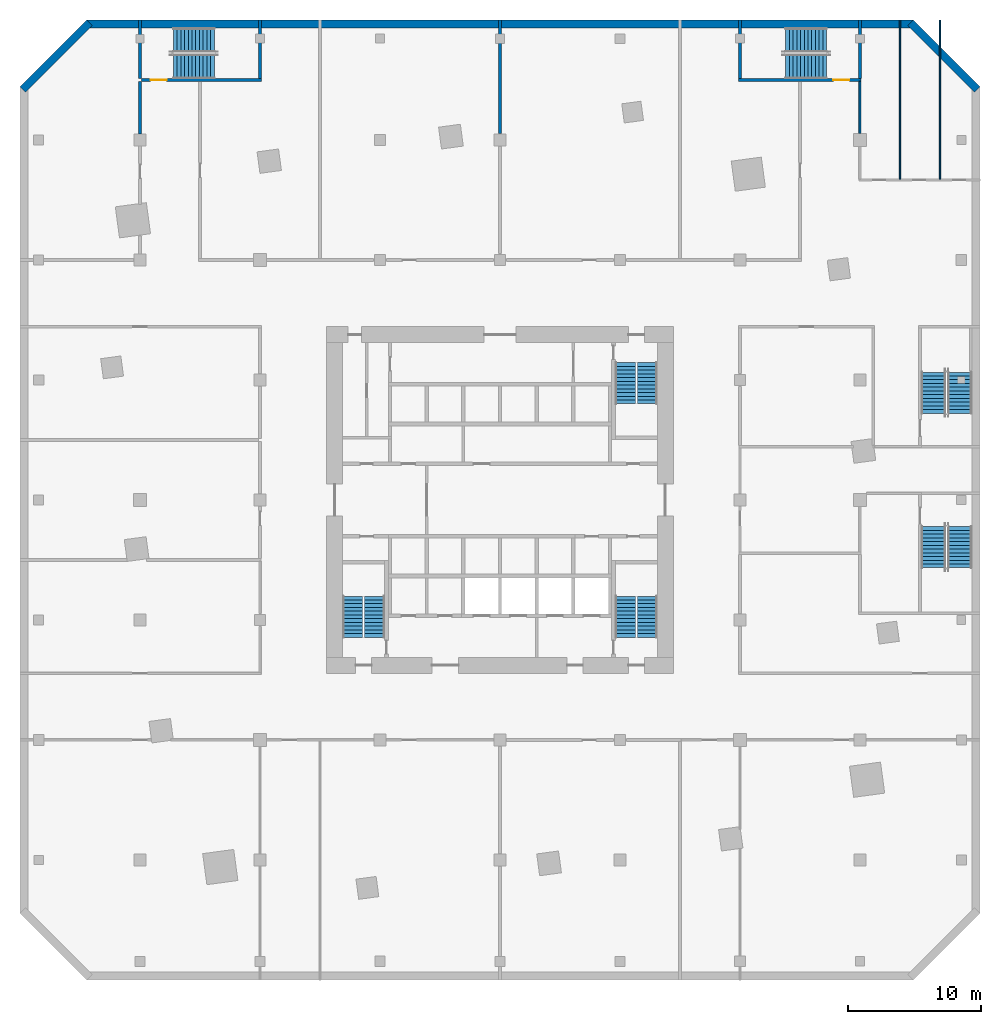
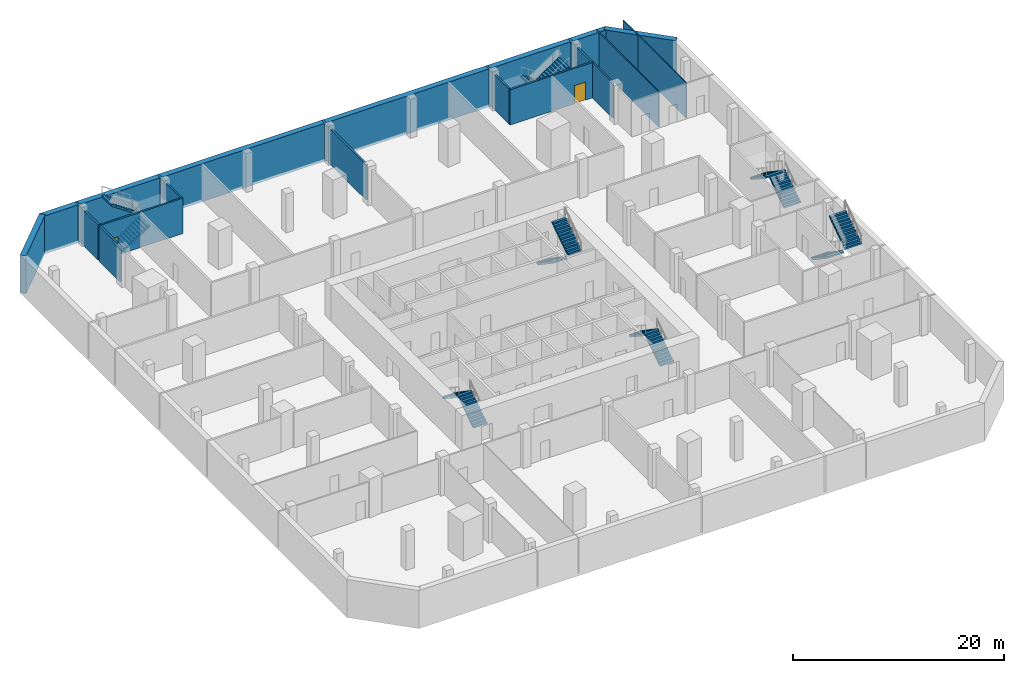
# One storey, part 7 of 11: 14 stair flights, 14 walls, 2 doors, 2 openings, 7 elements without a shape of their own.
"""IFC4 building model written with IfcOpenShell, lengths in metres."""

from ifc_helpers import new_model, si_unit, direction, frame, frame_2d, origin, place, context, subcontext, project, spatial, polyline, rectangle, outline, extrude, material, layer, layer_set, type_object, element, fill, aggregate, save


model = new_model("IFC4")

# Units and contexts
model_context = context("Model", 3, precision=1e-05, world=origin(), true_north=direction((0.0, 1.0)))
body_context = subcontext(model_context, "Body", "Model", "MODEL_VIEW")
ifc_project = project(units=[si_unit("LENGTHUNIT", "METRE"), si_unit("AREAUNIT", "SQUARE_METRE"), si_unit("VOLUMEUNIT", "CUBIC_METRE"), si_unit("PLANEANGLEUNIT", "RADIAN"), si_unit("MASSUNIT", "GRAM", prefix="KILO")], contexts=[model_context])

# Site, building, storey
site_placement = place(None, origin())
site = spatial("IfcSite", under=ifc_project, at=site_placement, CompositionType="ELEMENT")
building_placement = place(site_placement, origin())
building = spatial("IfcBuilding", under=site, at=building_placement, Name="Dilmun Exchange Tower", CompositionType="ELEMENT")
storey_placement = place(building_placement, frame((0.0, 0.0, -4.5)))
storey = spatial("IfcBuildingStorey", under=building, at=storey_placement, Name="B1", CompositionType="ELEMENT", Elevation=-4.5)

# Wall
ifc_material_1 = material(Name="Fire partition EI 60 150 gypsum")
ifc_layer_1 = layer(ifc_material_1, 0.14990234375)
ifc_layer_set_1 = layer_set([ifc_layer_1], Name="Fire partition EI 60 150 gypsum")
wall_type_1 = type_object("IfcWallType", Name="Fire partition EI 60 150 gypsum", PredefinedType="PARTITIONING", material=ifc_layer_set_1)
wall_1_placement = place(storey_placement, frame((27.0, 27.5, 0.0), z_axis=(0.0, 0.0, 1.0), x_axis=(0.0, 1.0, 0.0)))
element("IfcWall", 1, at=wall_1_placement, inside=storey, type_object=wall_type_1, Name="B1 partition", PredefinedType="PARTITIONING", context=body_context, shape_type="SweptSolid", body=[
    extrude(rectangle(XDim=3.89990234375, YDim=0.14990234375, at=frame_2d((1.949951171875, 0.0))), origin(), (0.0, 0.0, 1.0), 4.10009765625),
])

# Wall, opening, door
ifc_material_2 = material(Name="Fire wall EI 120 200 blockwork", Category="masonry")
ifc_layer_2 = layer(ifc_material_2, 0.199951171875)
ifc_layer_set_2 = layer_set([ifc_layer_2], Name="Fire wall EI 120 200 blockwork")
wall_type_2 = type_object("IfcWallType", Name="Fire wall EI 120 200 blockwork", PredefinedType="PARTITIONING", material=ifc_layer_set_2)
wall_2_placement = place(storey_placement, frame((-26.89990234375, 31.5, 0.0), z_axis=(0.0, 0.0, 1.0), x_axis=(1.0, 0.0, 0.0)))
wall_2 = element("IfcWall", 2, at=wall_2_placement, inside=storey, type_object=wall_type_2, Name="B1 stair wall", PredefinedType="PARTITIONING", context=body_context, shape_type="SweptSolid", body=[
    extrude(rectangle(XDim=9.0, YDim=0.199951171875, at=frame_2d((4.5, 0.0))), origin(), (0.0, 0.0, 1.0), 4.10009765625),
])
opening_1_placement = place(wall_2_placement, frame((0.699951171875, 0.0, 0.0)))
opening_1 = element("IfcOpeningElement", 3, at=opening_1_placement, cuts=wall_2, Name="Opening B1-D001", PredefinedType="OPENING", context=body_context, shape_type="SweptSolid", body=[
    extrude(rectangle(XDim=1.199951171875, YDim=2.10009765625, at=frame_2d((0.60009765625, 1.050048828125))), frame((0.0, 0.10986328125, 0.0), z_axis=(0.0, -1.0, 0.0), x_axis=(1.0, 0.0, 0.0)), (0.0, 0.0, 1.0), 0.219970703125),
])
ifc_material_3 = material(Name="Stair door FD90 1200 x 2100")
door_type = type_object("IfcDoorType", Name="Stair door FD90 1200 x 2100", OperationType="SINGLE_SWING_LEFT", PredefinedType="DOOR", material=ifc_material_3)
door_1_placement = place(opening_1_placement, origin())
door_1 = element("IfcDoor", 4, at=door_1_placement, inside=storey, type_object=door_type, Name="B1 door B1-D001", OperationType="SINGLE_SWING_LEFT", OverallHeight=2.10009765625, OverallWidth=1.199951171875, PredefinedType="DOOR", context=body_context, shape_type="SweptSolid", body=[
    extrude(rectangle(XDim=1.199951171875, YDim=2.10009765625, at=frame_2d((0.60009765625, 1.050048828125))), frame((0.0, 0.02490234375, 0.0), z_axis=(0.0, -1.0, 0.0), x_axis=(1.0, 0.0, 0.0)), (0.0, 0.0, 1.0), 0.050048828125),
])
fill(opening_1, door_1)

wall_3_placement = place(storey_placement, frame((17.89990234375, 31.5, 0.0), z_axis=(0.0, 0.0, 1.0), x_axis=(1.0, 0.0, 0.0)))
wall_3 = element("IfcWall", 5, at=wall_3_placement, inside=storey, type_object=wall_type_2, Name="B1 stair wall", PredefinedType="PARTITIONING", context=body_context, shape_type="SweptSolid", body=[
    extrude(rectangle(XDim=9.175048828125, YDim=0.199951171875, at=frame_2d((4.58740234375, 0.0))), origin(), (0.0, 0.0, 1.0), 4.10009765625),
])
opening_2_placement = place(wall_3_placement, frame((7.10009765625, 0.0, 0.0)))
opening_2 = element("IfcOpeningElement", 6, at=opening_2_placement, cuts=wall_3, Name="Opening B1-D002", PredefinedType="OPENING", context=body_context, shape_type="SweptSolid", body=[
    extrude(rectangle(XDim=1.199951171875, YDim=2.10009765625, at=frame_2d((0.60009765625, 1.050048828125))), frame((0.0, 0.10986328125, 0.0), z_axis=(0.0, -1.0, 0.0), x_axis=(1.0, 0.0, 0.0)), (0.0, 0.0, 1.0), 0.219970703125),
])
door_2_placement = place(opening_2_placement, origin())
door_2 = element("IfcDoor", 7, at=door_2_placement, inside=storey, type_object=door_type, Name="B1 door B1-D002", OperationType="SINGLE_SWING_RIGHT", OverallHeight=2.10009765625, OverallWidth=1.199951171875, PredefinedType="DOOR", context=body_context, shape_type="SweptSolid", body=[
    extrude(rectangle(XDim=1.199951171875, YDim=2.10009765625, at=frame_2d((0.60009765625, 1.050048828125))), frame((0.0, 0.02490234375, 0.0), z_axis=(0.0, -1.0, 0.0), x_axis=(1.0, 0.0, 0.0)), (0.0, 0.0, 1.0), 0.050048828125),
])
fill(opening_2, door_2)

# Walls
wall_4_placement = place(storey_placement, frame((-27.0, 27.46240234375, 0.0), z_axis=(0.0, 0.0, 1.0), x_axis=(0.0, 1.0, 0.0)))
element("IfcWall", 8, at=wall_4_placement, inside=storey, type_object=wall_type_2, Name="B1 stair wall", PredefinedType="PARTITIONING", context=body_context, shape_type="SweptSolid", body=[
    extrude(rectangle(XDim=3.9375, YDim=0.199951171875, at=frame_2d((1.96875, 0.0))), origin(), (0.0, 0.0, 1.0), 4.10009765625),
])
for number, where, z_axis, x_axis, name in (
    (9, (-27.0, 31.60009765625, 0.0), (0.0, 0.0, 1.0), (0.0, 1.0, 0.0), "B1 stair wall"),
    (10, (-18.0, 31.60009765625, 0.0), (0.0, 0.0, 1.0), (0.0, 1.0, 0.0), "B1 stair wall"),
):
    element("IfcWall", number, at=place(storey_placement, frame(where, z_axis=z_axis, x_axis=x_axis)), inside=storey, type_object=wall_type_2, Name=name, PredefinedType="PARTITIONING", context=body_context, shape_type="SweptSolid", body=[
        extrude(rectangle(XDim=4.39990234375, YDim=0.199951171875, at=frame_2d((2.199951171875, 0.0))), origin(), (0.0, 0.0, 1.0), 4.10009765625),
    ])
wall_5_placement = place(storey_placement, frame((0.0, 27.5, 0.0), z_axis=(0.0, 0.0, 1.0), x_axis=(0.0, 1.0, 0.0)))
element("IfcWall", 11, at=wall_5_placement, inside=storey, type_object=wall_type_2, Name="B1 partition", PredefinedType="PARTITIONING", context=body_context, shape_type="SweptSolid", body=[
    extrude(rectangle(XDim=8.5, YDim=0.199951171875, at=frame_2d((4.25, 0.0))), origin(), (0.0, 0.0, 1.0), 4.10009765625),
])
for number, where, z_axis, x_axis, name in (
    (12, (18.0, 31.60009765625, 0.0), (0.0, 0.0, 1.0), (0.0, 1.0, 0.0), "B1 stair wall"),
    (13, (27.0, 31.60009765625, 0.0), (0.0, 0.0, 1.0), (0.0, 1.0, 0.0), "B1 stair wall"),
):
    element("IfcWall", number, at=place(storey_placement, frame(where, z_axis=z_axis, x_axis=x_axis)), inside=storey, type_object=wall_type_2, Name=name, PredefinedType="PARTITIONING", context=body_context, shape_type="SweptSolid", body=[
        extrude(rectangle(XDim=4.39990234375, YDim=0.199951171875, at=frame_2d((2.199951171875, 0.0))), origin(), (0.0, 0.0, 1.0), 4.10009765625),
    ])
ifc_material_4 = material(Name="Partition 100 gypsum")
ifc_layer_3 = layer(ifc_material_4, 0.10009765625)
ifc_layer_set_3 = layer_set([ifc_layer_3], Name="Partition 100 gypsum")
wall_type_3 = type_object("IfcWallType", Name="Partition 100 gypsum", PredefinedType="PARTITIONING", material=ifc_layer_set_3)
for number, where, z_axis, x_axis, name in (
    (14, (30.0, 24.074951171875, 0.0), (0.0, 0.0, 1.0), (0.0, 1.0, 0.0), "B1 partition"),
    (15, (33.0, 24.074951171875, 0.0), (0.0, 0.0, 1.0), (0.0, 1.0, 0.0), "B1 partition"),
):
    element("IfcWall", number, at=place(storey_placement, frame(where, z_axis=z_axis, x_axis=x_axis)), inside=storey, type_object=wall_type_3, Name=name, PredefinedType="PARTITIONING", context=body_context, shape_type="SweptSolid", body=[
        extrude(rectangle(XDim=11.925048828125, YDim=0.10009765625, at=frame_2d((5.96240234375, 0.0))), origin(), (0.0, 0.0, 1.0), 4.10009765625),
    ])
ifc_material_5 = material(Name="Concrete C40/50", Category="concrete")
ifc_layer_4 = layer(ifc_material_5, 0.60009765625)
ifc_layer_set_4 = layer_set([ifc_layer_4], Name="Concrete C40/50")
wall_type_4 = type_object("IfcWallType", Name="RC basement wall 600", PredefinedType="SOLIDWALL", material=ifc_layer_set_4)
wall_6_placement = place(storey_placement, frame((35.787841796875, 30.787841796875, -0.300048828125), z_axis=(0.0, 0.0, 1.0), x_axis=(-0.707106781187, 0.707106781187, 0.0)))
element("IfcWall", 16, at=wall_6_placement, inside=storey, type_object=wall_type_4, Name="Basement retaining wall", PredefinedType="SOLIDWALL", context=body_context, shape_type="SweptSolid", body=[
    extrude(rectangle(XDim=7.071044921875, YDim=0.60009765625, at=frame_2d((3.53564453125, 0.0))), origin(), (0.0, 0.0, 1.0), 4.400146484375),
])
wall_7_placement = place(storey_placement, frame((31.0, 35.699951171875, -0.300048828125), z_axis=(0.0, 0.0, 1.0), x_axis=(-1.0, 0.0, 0.0)))
element("IfcWall", 17, at=wall_7_placement, inside=storey, type_object=wall_type_4, Name="Basement retaining wall", PredefinedType="SOLIDWALL", context=body_context, shape_type="SweptSolid", body=[
    extrude(rectangle(XDim=62.0, YDim=0.60009765625, at=frame_2d((31.0, 0.0))), origin(), (0.0, 0.0, 1.0), 4.400146484375),
])
wall_8_placement = place(storey_placement, frame((-30.787841796875, 35.787841796875, -0.300048828125), z_axis=(0.0, 0.0, 1.0), x_axis=(-0.707106781187, -0.707106781187, 0.0)))
element("IfcWall", 18, at=wall_8_placement, inside=storey, type_object=wall_type_4, Name="Basement retaining wall", PredefinedType="SOLIDWALL", context=body_context, shape_type="SweptSolid", body=[
    extrude(rectangle(XDim=7.071044921875, YDim=0.60009765625, at=frame_2d((3.53564453125, 0.0))), origin(), (0.0, 0.0, 1.0), 4.400146484375),
])

# Stair, stair flights
stair_type_1 = type_object("IfcStairType", Name="Exit stair 1500 half-turn", PredefinedType="HALF_TURN_STAIR", material=ifc_material_5)
stair_1_placement = place(storey_placement, origin())
stair_1 = element("IfcStair", 19, at=stair_1_placement, inside=storey, type_object=stair_type_1, Name="B1 Protected exit stair ST1", PredefinedType="HALF_TURN_STAIR")
stair_flight_type_1 = type_object("IfcStairFlightType", Name="Exit stair flight 1500", PredefinedType="STRAIGHT", material=ifc_material_5)
stair_flight_1_placement = place(storey_placement, frame((9.39990234375, 10.300048828125, 0.0), z_axis=(0.0, 0.0, 1.0), x_axis=(0.0, -1.0, 0.0)))
stair_flight_1 = element("IfcStairFlight", 20, at=stair_flight_1_placement, type_object=stair_flight_type_1, Name="ST1 flight 1", NumberOfRisers=12, NumberOfTreads=11, PredefinedType="STRAIGHT", RiserHeight=0.1875, TreadLength=0.28, context=body_context, shape_type="SweptSolid", body=[
    extrude(outline(polyline([(0.0, 0.0), (0.0, 0.1875), (0.280029296875, 0.1875), (0.280029296875, 0.375), (0.56005859375, 0.375), (0.56005859375, 0.5625), (0.840087890625, 0.5625), (0.840087890625, 0.75), (1.1201171875, 0.75), (1.1201171875, 0.9375), (1.39990234375, 0.9375), (1.39990234375, 1.125), (1.679931640625, 1.125), (1.679931640625, 1.3125), (1.9599609375, 1.3125), (1.9599609375, 1.5), (2.239990234375, 1.5), (2.239990234375, 1.6875), (2.52001953125, 1.6875), (2.52001953125, 1.875), (2.800048828125, 1.875), (2.800048828125, 2.0625), (3.080078125, 2.0625), (3.080078125, 2.25), (3.080078125, 1.882080078125), (0.26953125, 0.0), (0.0, 0.0)])), frame((0.0, 0.75, 0.0), z_axis=(0.0, -1.0, 0.0), x_axis=(1.0, 0.0, 0.0)), (0.0, 0.0, 1.0), 1.5),
])
stair_flight_2_placement = place(storey_placement, frame((11.050048828125, 7.219970703125, 2.25), z_axis=(0.0, 0.0, 1.0), x_axis=(0.0, 1.0, 0.0)))
stair_flight_2 = element("IfcStairFlight", 21, at=stair_flight_2_placement, type_object=stair_flight_type_1, Name="ST1 flight 2", NumberOfRisers=12, NumberOfTreads=11, PredefinedType="STRAIGHT", RiserHeight=0.1875, TreadLength=0.28, context=body_context, shape_type="SweptSolid", body=[
    extrude(outline(polyline([(0.0, 0.0), (0.0, 0.1875), (0.280029296875, 0.1875), (0.280029296875, 0.375), (0.56005859375, 0.375), (0.56005859375, 0.5625), (0.840087890625, 0.5625), (0.840087890625, 0.75), (1.1201171875, 0.75), (1.1201171875, 0.9375), (1.39990234375, 0.9375), (1.39990234375, 1.125), (1.679931640625, 1.125), (1.679931640625, 1.3125), (1.9599609375, 1.3125), (1.9599609375, 1.5), (2.239990234375, 1.5), (2.239990234375, 1.6875), (2.52001953125, 1.6875), (2.52001953125, 1.875), (2.800048828125, 1.875), (2.800048828125, 2.0625), (3.080078125, 2.0625), (3.080078125, 2.25), (3.080078125, 1.882080078125), (0.26953125, 0.0), (0.0, 0.0)])), frame((0.0, 0.75, 0.0), z_axis=(0.0, -1.0, 0.0), x_axis=(1.0, 0.0, 0.0)), (0.0, 0.0, 1.0), 1.5),
])
aggregate(stair_1, [stair_flight_1, stair_flight_2])

stair_2_placement = place(storey_placement, origin())
stair_2 = element("IfcStair", 22, at=stair_2_placement, inside=storey, type_object=stair_type_1, Name="B1 Protected exit stair ST2", PredefinedType="HALF_TURN_STAIR")
stair_flight_3_placement = place(storey_placement, frame((-9.39990234375, -10.300048828125, 0.0), z_axis=(0.0, 0.0, 1.0), x_axis=(0.0, 1.0, 0.0)))
stair_flight_3 = element("IfcStairFlight", 23, at=stair_flight_3_placement, type_object=stair_flight_type_1, Name="ST2 flight 1", NumberOfRisers=12, NumberOfTreads=11, PredefinedType="STRAIGHT", RiserHeight=0.1875, TreadLength=0.28, context=body_context, shape_type="SweptSolid", body=[
    extrude(outline(polyline([(0.0, 0.0), (0.0, 0.1875), (0.280029296875, 0.1875), (0.280029296875, 0.375), (0.56005859375, 0.375), (0.56005859375, 0.5625), (0.840087890625, 0.5625), (0.840087890625, 0.75), (1.1201171875, 0.75), (1.1201171875, 0.9375), (1.39990234375, 0.9375), (1.39990234375, 1.125), (1.679931640625, 1.125), (1.679931640625, 1.3125), (1.9599609375, 1.3125), (1.9599609375, 1.5), (2.239990234375, 1.5), (2.239990234375, 1.6875), (2.52001953125, 1.6875), (2.52001953125, 1.875), (2.800048828125, 1.875), (2.800048828125, 2.0625), (3.080078125, 2.0625), (3.080078125, 2.25), (3.080078125, 1.882080078125), (0.26953125, 0.0), (0.0, 0.0)])), frame((0.0, 0.75, 0.0), z_axis=(0.0, -1.0, 0.0), x_axis=(1.0, 0.0, 0.0)), (0.0, 0.0, 1.0), 1.5),
])
stair_flight_4_placement = place(storey_placement, frame((-11.050048828125, -7.219970703125, 2.25), z_axis=(0.0, 0.0, 1.0), x_axis=(0.0, -1.0, 0.0)))
stair_flight_4 = element("IfcStairFlight", 24, at=stair_flight_4_placement, type_object=stair_flight_type_1, Name="ST2 flight 2", NumberOfRisers=12, NumberOfTreads=11, PredefinedType="STRAIGHT", RiserHeight=0.1875, TreadLength=0.28, context=body_context, shape_type="SweptSolid", body=[
    extrude(outline(polyline([(0.0, 0.0), (0.0, 0.1875), (0.280029296875, 0.1875), (0.280029296875, 0.375), (0.56005859375, 0.375), (0.56005859375, 0.5625), (0.840087890625, 0.5625), (0.840087890625, 0.75), (1.1201171875, 0.75), (1.1201171875, 0.9375), (1.39990234375, 0.9375), (1.39990234375, 1.125), (1.679931640625, 1.125), (1.679931640625, 1.3125), (1.9599609375, 1.3125), (1.9599609375, 1.5), (2.239990234375, 1.5), (2.239990234375, 1.6875), (2.52001953125, 1.6875), (2.52001953125, 1.875), (2.800048828125, 1.875), (2.800048828125, 2.0625), (3.080078125, 2.0625), (3.080078125, 2.25), (3.080078125, 1.882080078125), (0.26953125, 0.0), (0.0, 0.0)])), frame((0.0, 0.75, 0.0), z_axis=(0.0, -1.0, 0.0), x_axis=(1.0, 0.0, 0.0)), (0.0, 0.0, 1.0), 1.5),
])
aggregate(stair_2, [stair_flight_3, stair_flight_4])

stair_3_placement = place(storey_placement, origin())
stair_3 = element("IfcStair", 25, at=stair_3_placement, inside=storey, type_object=stair_type_1, Name="B1 Protected exit stair ST3", PredefinedType="HALF_TURN_STAIR")
stair_flight_5_placement = place(storey_placement, frame((11.050048828125, -10.300048828125, 0.0), z_axis=(0.0, 0.0, 1.0), x_axis=(0.0, 1.0, 0.0)))
stair_flight_5 = element("IfcStairFlight", 26, at=stair_flight_5_placement, type_object=stair_flight_type_1, Name="ST3 flight 1", NumberOfRisers=12, NumberOfTreads=11, PredefinedType="STRAIGHT", RiserHeight=0.1875, TreadLength=0.28, context=body_context, shape_type="SweptSolid", body=[
    extrude(outline(polyline([(0.0, 0.0), (0.0, 0.1875), (0.280029296875, 0.1875), (0.280029296875, 0.375), (0.56005859375, 0.375), (0.56005859375, 0.5625), (0.840087890625, 0.5625), (0.840087890625, 0.75), (1.1201171875, 0.75), (1.1201171875, 0.9375), (1.39990234375, 0.9375), (1.39990234375, 1.125), (1.679931640625, 1.125), (1.679931640625, 1.3125), (1.9599609375, 1.3125), (1.9599609375, 1.5), (2.239990234375, 1.5), (2.239990234375, 1.6875), (2.52001953125, 1.6875), (2.52001953125, 1.875), (2.800048828125, 1.875), (2.800048828125, 2.0625), (3.080078125, 2.0625), (3.080078125, 2.25), (3.080078125, 1.882080078125), (0.26953125, 0.0), (0.0, 0.0)])), frame((0.0, 0.75, 0.0), z_axis=(0.0, -1.0, 0.0), x_axis=(1.0, 0.0, 0.0)), (0.0, 0.0, 1.0), 1.5),
])
stair_flight_6_placement = place(storey_placement, frame((9.39990234375, -7.219970703125, 2.25), z_axis=(0.0, 0.0, 1.0), x_axis=(0.0, -1.0, 0.0)))
stair_flight_6 = element("IfcStairFlight", 27, at=stair_flight_6_placement, type_object=stair_flight_type_1, Name="ST3 flight 2", NumberOfRisers=12, NumberOfTreads=11, PredefinedType="STRAIGHT", RiserHeight=0.1875, TreadLength=0.28, context=body_context, shape_type="SweptSolid", body=[
    extrude(outline(polyline([(0.0, 0.0), (0.0, 0.1875), (0.280029296875, 0.1875), (0.280029296875, 0.375), (0.56005859375, 0.375), (0.56005859375, 0.5625), (0.840087890625, 0.5625), (0.840087890625, 0.75), (1.1201171875, 0.75), (1.1201171875, 0.9375), (1.39990234375, 0.9375), (1.39990234375, 1.125), (1.679931640625, 1.125), (1.679931640625, 1.3125), (1.9599609375, 1.3125), (1.9599609375, 1.5), (2.239990234375, 1.5), (2.239990234375, 1.6875), (2.52001953125, 1.6875), (2.52001953125, 1.875), (2.800048828125, 1.875), (2.800048828125, 2.0625), (3.080078125, 2.0625), (3.080078125, 2.25), (3.080078125, 1.882080078125), (0.26953125, 0.0), (0.0, 0.0)])), frame((0.0, 0.75, 0.0), z_axis=(0.0, -1.0, 0.0), x_axis=(1.0, 0.0, 0.0)), (0.0, 0.0, 1.0), 1.5),
])
aggregate(stair_3, [stair_flight_5, stair_flight_6])

stair_type_2 = type_object("IfcStairType", Name="Podium exit stair 1500", PredefinedType="HALF_TURN_STAIR", material=ifc_material_5)
stair_4_placement = place(storey_placement, origin())
stair_4 = element("IfcStair", 28, at=stair_4_placement, inside=storey, type_object=stair_type_2, Name="B1 Podium exit stair PS1", PredefinedType="HALF_TURN_STAIR")
stair_flight_type_2 = type_object("IfcStairFlightType", Name="Podium stair flight 1500", PredefinedType="STRAIGHT", material=ifc_material_5)
stair_flight_7_placement = place(storey_placement, frame((-24.5, 32.511962890625, 0.0), z_axis=(0.0, 0.0, 1.0), x_axis=(1.0, 0.0, 0.0)))
stair_flight_7 = element("IfcStairFlight", 29, at=stair_flight_7_placement, type_object=stair_flight_type_2, Name="PS1 flight 1", NumberOfRisers=12, NumberOfTreads=11, PredefinedType="STRAIGHT", RiserHeight=0.1875, TreadLength=0.28, context=body_context, shape_type="SweptSolid", body=[
    extrude(outline(polyline([(0.0, 0.0), (0.0, 0.1875), (0.280029296875, 0.1875), (0.280029296875, 0.375), (0.56005859375, 0.375), (0.56005859375, 0.5625), (0.840087890625, 0.5625), (0.840087890625, 0.75), (1.1201171875, 0.75), (1.1201171875, 0.9375), (1.39990234375, 0.9375), (1.39990234375, 1.125), (1.679931640625, 1.125), (1.679931640625, 1.3125), (1.9599609375, 1.3125), (1.9599609375, 1.5), (2.239990234375, 1.5), (2.239990234375, 1.6875), (2.52001953125, 1.6875), (2.52001953125, 1.875), (2.800048828125, 1.875), (2.800048828125, 2.0625), (3.080078125, 2.0625), (3.080078125, 2.25), (3.080078125, 1.882080078125), (0.26953125, 0.0), (0.0, 0.0)])), frame((0.0, 0.912109375, 0.0), z_axis=(0.0, -1.0, 0.0), x_axis=(1.0, 0.0, 0.0)), (0.0, 0.0, 1.0), 1.823974609375),
])
stair_flight_8_placement = place(storey_placement, frame((-21.419921875, 34.486083984375, 2.25), z_axis=(0.0, 0.0, 1.0), x_axis=(-1.0, 0.0, 0.0)))
stair_flight_8 = element("IfcStairFlight", 30, at=stair_flight_8_placement, type_object=stair_flight_type_2, Name="PS1 flight 2", NumberOfRisers=12, NumberOfTreads=11, PredefinedType="STRAIGHT", RiserHeight=0.1875, TreadLength=0.28, context=body_context, shape_type="SweptSolid", body=[
    extrude(outline(polyline([(0.0, 0.0), (0.0, 0.1875), (0.280029296875, 0.1875), (0.280029296875, 0.375), (0.56005859375, 0.375), (0.56005859375, 0.5625), (0.840087890625, 0.5625), (0.840087890625, 0.75), (1.1201171875, 0.75), (1.1201171875, 0.9375), (1.39990234375, 0.9375), (1.39990234375, 1.125), (1.679931640625, 1.125), (1.679931640625, 1.3125), (1.9599609375, 1.3125), (1.9599609375, 1.5), (2.239990234375, 1.5), (2.239990234375, 1.6875), (2.52001953125, 1.6875), (2.52001953125, 1.875), (2.800048828125, 1.875), (2.800048828125, 2.0625), (3.080078125, 2.0625), (3.080078125, 2.25), (3.080078125, 1.882080078125), (0.26953125, 0.0), (0.0, 0.0)])), frame((0.0, 0.912109375, 0.0), z_axis=(0.0, -1.0, 0.0), x_axis=(1.0, 0.0, 0.0)), (0.0, 0.0, 1.0), 1.823974609375),
])
aggregate(stair_4, [stair_flight_7, stair_flight_8])

stair_5_placement = place(storey_placement, origin())
stair_5 = element("IfcStair", 31, at=stair_5_placement, inside=storey, type_object=stair_type_2, Name="B1 Podium exit stair PS2", PredefinedType="HALF_TURN_STAIR")
stair_flight_9_placement = place(storey_placement, frame((24.5, 34.486083984375, 0.0), z_axis=(0.0, 0.0, 1.0), x_axis=(-1.0, 0.0, 0.0)))
stair_flight_9 = element("IfcStairFlight", 32, at=stair_flight_9_placement, type_object=stair_flight_type_2, Name="PS2 flight 1", NumberOfRisers=12, NumberOfTreads=11, PredefinedType="STRAIGHT", RiserHeight=0.1875, TreadLength=0.28, context=body_context, shape_type="SweptSolid", body=[
    extrude(outline(polyline([(0.0, 0.0), (0.0, 0.1875), (0.280029296875, 0.1875), (0.280029296875, 0.375), (0.56005859375, 0.375), (0.56005859375, 0.5625), (0.840087890625, 0.5625), (0.840087890625, 0.75), (1.1201171875, 0.75), (1.1201171875, 0.9375), (1.39990234375, 0.9375), (1.39990234375, 1.125), (1.679931640625, 1.125), (1.679931640625, 1.3125), (1.9599609375, 1.3125), (1.9599609375, 1.5), (2.239990234375, 1.5), (2.239990234375, 1.6875), (2.52001953125, 1.6875), (2.52001953125, 1.875), (2.800048828125, 1.875), (2.800048828125, 2.0625), (3.080078125, 2.0625), (3.080078125, 2.25), (3.080078125, 1.882080078125), (0.26953125, 0.0), (0.0, 0.0)])), frame((0.0, 0.912109375, 0.0), z_axis=(0.0, -1.0, 0.0), x_axis=(1.0, 0.0, 0.0)), (0.0, 0.0, 1.0), 1.823974609375),
])
stair_flight_10_placement = place(storey_placement, frame((21.419921875, 32.511962890625, 2.25), z_axis=(0.0, 0.0, 1.0), x_axis=(1.0, 0.0, 0.0)))
stair_flight_10 = element("IfcStairFlight", 33, at=stair_flight_10_placement, type_object=stair_flight_type_2, Name="PS2 flight 2", NumberOfRisers=12, NumberOfTreads=11, PredefinedType="STRAIGHT", RiserHeight=0.1875, TreadLength=0.28, context=body_context, shape_type="SweptSolid", body=[
    extrude(outline(polyline([(0.0, 0.0), (0.0, 0.1875), (0.280029296875, 0.1875), (0.280029296875, 0.375), (0.56005859375, 0.375), (0.56005859375, 0.5625), (0.840087890625, 0.5625), (0.840087890625, 0.75), (1.1201171875, 0.75), (1.1201171875, 0.9375), (1.39990234375, 0.9375), (1.39990234375, 1.125), (1.679931640625, 1.125), (1.679931640625, 1.3125), (1.9599609375, 1.3125), (1.9599609375, 1.5), (2.239990234375, 1.5), (2.239990234375, 1.6875), (2.52001953125, 1.6875), (2.52001953125, 1.875), (2.800048828125, 1.875), (2.800048828125, 2.0625), (3.080078125, 2.0625), (3.080078125, 2.25), (3.080078125, 1.882080078125), (0.26953125, 0.0), (0.0, 0.0)])), frame((0.0, 0.912109375, 0.0), z_axis=(0.0, -1.0, 0.0), x_axis=(1.0, 0.0, 0.0)), (0.0, 0.0, 1.0), 1.823974609375),
])
aggregate(stair_5, [stair_flight_9, stair_flight_10])

stair_6_placement = place(storey_placement, origin())
stair_6 = element("IfcStair", 34, at=stair_6_placement, inside=storey, type_object=stair_type_2, Name="B1 Podium exit stair PS3", PredefinedType="HALF_TURN_STAIR")
stair_flight_11_placement = place(storey_placement, frame((32.511962890625, -2.0, 0.0), z_axis=(0.0, 0.0, 1.0), x_axis=(0.0, -1.0, 0.0)))
stair_flight_11 = element("IfcStairFlight", 35, at=stair_flight_11_placement, type_object=stair_flight_type_2, Name="PS3 flight 1", NumberOfRisers=12, NumberOfTreads=11, PredefinedType="STRAIGHT", RiserHeight=0.1875, TreadLength=0.28, context=body_context, shape_type="SweptSolid", body=[
    extrude(outline(polyline([(0.0, 0.0), (0.0, 0.1875), (0.280029296875, 0.1875), (0.280029296875, 0.375), (0.56005859375, 0.375), (0.56005859375, 0.5625), (0.840087890625, 0.5625), (0.840087890625, 0.75), (1.1201171875, 0.75), (1.1201171875, 0.9375), (1.39990234375, 0.9375), (1.39990234375, 1.125), (1.679931640625, 1.125), (1.679931640625, 1.3125), (1.9599609375, 1.3125), (1.9599609375, 1.5), (2.239990234375, 1.5), (2.239990234375, 1.6875), (2.52001953125, 1.6875), (2.52001953125, 1.875), (2.800048828125, 1.875), (2.800048828125, 2.0625), (3.080078125, 2.0625), (3.080078125, 2.25), (3.080078125, 1.882080078125), (0.26953125, 0.0), (0.0, 0.0)])), frame((0.0, 0.912109375, 0.0), z_axis=(0.0, -1.0, 0.0), x_axis=(1.0, 0.0, 0.0)), (0.0, 0.0, 1.0), 1.823974609375),
])
stair_flight_12_placement = place(storey_placement, frame((34.486083984375, -5.080078125, 2.25), z_axis=(0.0, 0.0, 1.0), x_axis=(0.0, 1.0, 0.0)))
stair_flight_12 = element("IfcStairFlight", 36, at=stair_flight_12_placement, type_object=stair_flight_type_2, Name="PS3 flight 2", NumberOfRisers=12, NumberOfTreads=11, PredefinedType="STRAIGHT", RiserHeight=0.1875, TreadLength=0.28, context=body_context, shape_type="SweptSolid", body=[
    extrude(outline(polyline([(0.0, 0.0), (0.0, 0.1875), (0.280029296875, 0.1875), (0.280029296875, 0.375), (0.56005859375, 0.375), (0.56005859375, 0.5625), (0.840087890625, 0.5625), (0.840087890625, 0.75), (1.1201171875, 0.75), (1.1201171875, 0.9375), (1.39990234375, 0.9375), (1.39990234375, 1.125), (1.679931640625, 1.125), (1.679931640625, 1.3125), (1.9599609375, 1.3125), (1.9599609375, 1.5), (2.239990234375, 1.5), (2.239990234375, 1.6875), (2.52001953125, 1.6875), (2.52001953125, 1.875), (2.800048828125, 1.875), (2.800048828125, 2.0625), (3.080078125, 2.0625), (3.080078125, 2.25), (3.080078125, 1.882080078125), (0.26953125, 0.0), (0.0, 0.0)])), frame((0.0, 0.912109375, 0.0), z_axis=(0.0, -1.0, 0.0), x_axis=(1.0, 0.0, 0.0)), (0.0, 0.0, 1.0), 1.823974609375),
])
aggregate(stair_6, [stair_flight_11, stair_flight_12])

stair_7_placement = place(storey_placement, origin())
stair_7 = element("IfcStair", 37, at=stair_7_placement, inside=storey, type_object=stair_type_2, Name="B1 Podium exit stair PS4", PredefinedType="HALF_TURN_STAIR")
stair_flight_13_placement = place(storey_placement, frame((34.486083984375, 6.5, 0.0), z_axis=(0.0, 0.0, 1.0), x_axis=(0.0, 1.0, 0.0)))
stair_flight_13 = element("IfcStairFlight", 38, at=stair_flight_13_placement, type_object=stair_flight_type_2, Name="PS4 flight 1", NumberOfRisers=12, NumberOfTreads=11, PredefinedType="STRAIGHT", RiserHeight=0.1875, TreadLength=0.28, context=body_context, shape_type="SweptSolid", body=[
    extrude(outline(polyline([(0.0, 0.0), (0.0, 0.1875), (0.280029296875, 0.1875), (0.280029296875, 0.375), (0.56005859375, 0.375), (0.56005859375, 0.5625), (0.840087890625, 0.5625), (0.840087890625, 0.75), (1.1201171875, 0.75), (1.1201171875, 0.9375), (1.39990234375, 0.9375), (1.39990234375, 1.125), (1.679931640625, 1.125), (1.679931640625, 1.3125), (1.9599609375, 1.3125), (1.9599609375, 1.5), (2.239990234375, 1.5), (2.239990234375, 1.6875), (2.52001953125, 1.6875), (2.52001953125, 1.875), (2.800048828125, 1.875), (2.800048828125, 2.0625), (3.080078125, 2.0625), (3.080078125, 2.25), (3.080078125, 1.882080078125), (0.26953125, 0.0), (0.0, 0.0)])), frame((0.0, 0.912109375, 0.0), z_axis=(0.0, -1.0, 0.0), x_axis=(1.0, 0.0, 0.0)), (0.0, 0.0, 1.0), 1.823974609375),
])
stair_flight_14_placement = place(storey_placement, frame((32.511962890625, 9.580078125, 2.25), z_axis=(0.0, 0.0, 1.0), x_axis=(0.0, -1.0, 0.0)))
stair_flight_14 = element("IfcStairFlight", 39, at=stair_flight_14_placement, type_object=stair_flight_type_2, Name="PS4 flight 2", NumberOfRisers=12, NumberOfTreads=11, PredefinedType="STRAIGHT", RiserHeight=0.1875, TreadLength=0.28, context=body_context, shape_type="SweptSolid", body=[
    extrude(outline(polyline([(0.0, 0.0), (0.0, 0.1875), (0.280029296875, 0.1875), (0.280029296875, 0.375), (0.56005859375, 0.375), (0.56005859375, 0.5625), (0.840087890625, 0.5625), (0.840087890625, 0.75), (1.1201171875, 0.75), (1.1201171875, 0.9375), (1.39990234375, 0.9375), (1.39990234375, 1.125), (1.679931640625, 1.125), (1.679931640625, 1.3125), (1.9599609375, 1.3125), (1.9599609375, 1.5), (2.239990234375, 1.5), (2.239990234375, 1.6875), (2.52001953125, 1.6875), (2.52001953125, 1.875), (2.800048828125, 1.875), (2.800048828125, 2.0625), (3.080078125, 2.0625), (3.080078125, 2.25), (3.080078125, 1.882080078125), (0.26953125, 0.0), (0.0, 0.0)])), frame((0.0, 0.912109375, 0.0), z_axis=(0.0, -1.0, 0.0), x_axis=(1.0, 0.0, 0.0)), (0.0, 0.0, 1.0), 1.823974609375),
])
aggregate(stair_7, [stair_flight_13, stair_flight_14])

save(model, "model.ifc")
